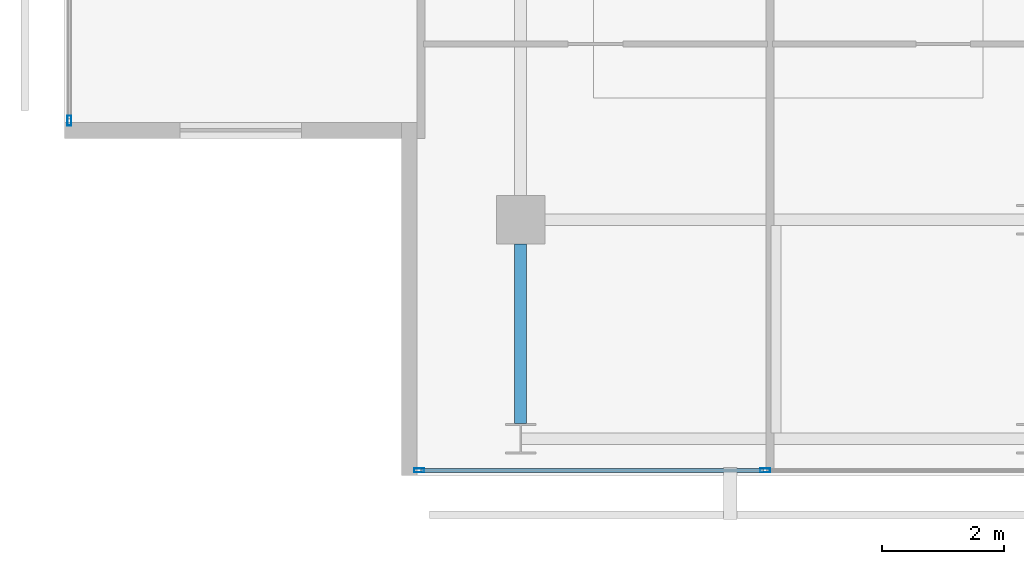
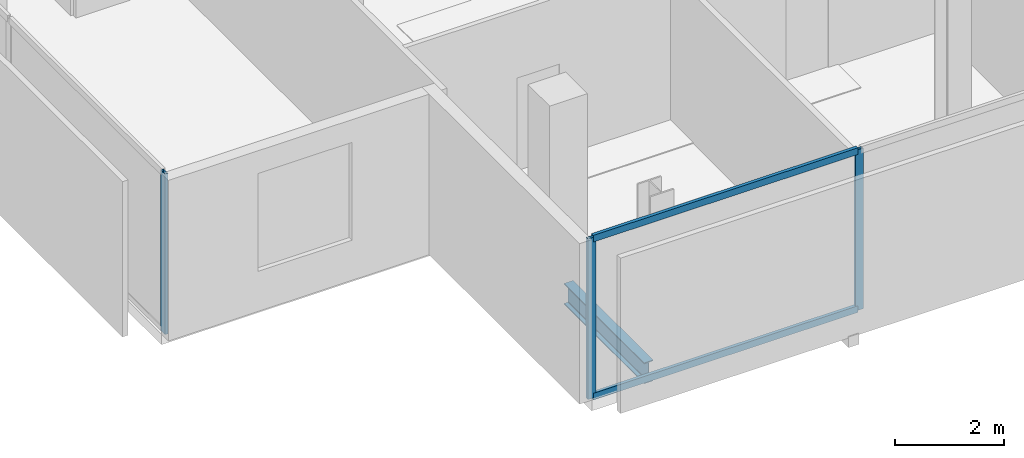
# One storey, part 2 of 24: 5 members, 1 beam, 2 elements without a shape of their own.
"""IFC4 building model written with IfcOpenShell, lengths in metres."""

from ifc_helpers import new_model, si_unit, direction, frame, origin, origin_2d, place, context, subcontext, project, spatial, hollow_rectangle, i_section, extrude, material, layer, layer_set, material_profile, profile_set, type_object, element, aggregate, save


model = new_model("IFC4")

# Units and contexts
model_context = context("Model", 3, precision=1e-05, world=origin(), true_north=direction((0.0, 1.0)))
body_context = subcontext(model_context, "Body", "Model", "MODEL_VIEW")
ifc_project = project(units=[si_unit("LENGTHUNIT", "METRE"), si_unit("AREAUNIT", "SQUARE_METRE"), si_unit("VOLUMEUNIT", "CUBIC_METRE"), si_unit("PLANEANGLEUNIT", "RADIAN"), si_unit("MASSUNIT", "GRAM", prefix="KILO")], contexts=[model_context])

# Site, building, storey
site_placement = place(None, origin())
site = spatial("IfcSite", under=ifc_project, at=site_placement, CompositionType="ELEMENT")
building_placement = place(site_placement, origin())
building = spatial("IfcBuilding", under=site, at=building_placement, Name="Maruvema Waterfront Hotel and Observation Tower", CompositionType="ELEMENT")
storey_placement = place(building_placement, frame((0.0, 0.0, 333.550048828125)))
storey = spatial("IfcBuildingStorey", under=building, at=storey_placement, Name="L82", CompositionType="ELEMENT", Elevation=333.550048828125)

# Curtain wall, members
ifc_material_1 = material(Name="Anodised bronze aluminium and solar-control low-E IGU", Category="aluminium")
ifc_layer = layer(ifc_material_1, 0.159912109375, Name="Zone 4 Sky Residence Inner Curtain Wall System CW-05")
ifc_layer_set = layer_set([ifc_layer], Name="Anodised bronze aluminium and solar-control low-E IGU")
curtain_wall_type = type_object("IfcCurtainWallType", Name="Zone 4 Sky Residence Inner Curtain Wall System CW-05", PredefinedType="USERDEFINED", material=ifc_layer_set)
curtain_wall_1_placement = place(storey_placement, origin())
curtain_wall_1 = element("IfcCurtainWall", 1, at=curtain_wall_1_placement, inside=storey, type_object=curtain_wall_type, Name="L82 Curtain Wall CW-L82-S", ObjectType="UNITISED CURTAIN WALL", PredefinedType="USERDEFINED")
ifc_material_2 = material(Name="Anodised architectural bronze aluminium", Category="aluminium")
ifc_material_profile_1 = material_profile(ifc_material_2, hollow_rectangle(XDim=0.070068359375, YDim=0.14990234375, WallThickness=0.00390625, at=origin_2d()), Name="ALU-T70x150")
ifc_profile_set_1 = profile_set([ifc_material_profile_1], Name="Anodised architectural bronze aluminium")
member_type_1 = type_object("IfcMemberType", Name="Curtain Wall Horizontal Transom ALU-T70x150", PredefinedType="USERDEFINED", material=ifc_profile_set_1)
member_1_placement = place(storey_placement, frame((23.56005859375, 13.8798828125, 0.030029296875), z_axis=(1.0, 0.0, 0.0), x_axis=(0.0, 1.0, 0.0)))
member_1 = element("IfcMember", 2, at=member_1_placement, type_object=member_type_1, Name="CW-05 transom 1.1", ObjectType="TRANSOM", PredefinedType="USERDEFINED", context=body_context, shape_type="SweptSolid", body=[
    extrude(hollow_rectangle(XDim=0.070068359375, YDim=0.14990234375, WallThickness=0.00390625, at=origin_2d()), origin(), (0.0, 0.0, 1.0), 5.6298828125),
])
member_2_placement = place(storey_placement, frame((23.56005859375, 13.8798828125, 3.579833984375), z_axis=(1.0, 0.0, 0.0), x_axis=(0.0, 1.0, 0.0)))
member_2 = element("IfcMember", 3, at=member_2_placement, type_object=member_type_1, Name="CW-05 transom 1.2", ObjectType="TRANSOM", PredefinedType="USERDEFINED", context=body_context, shape_type="SweptSolid", body=[
    extrude(hollow_rectangle(XDim=0.070068359375, YDim=0.14990234375, WallThickness=0.00390625, at=origin_2d()), origin(), (0.0, 0.0, 1.0), 5.6298828125),
])
ifc_material_3 = material(Name="Anodised architectural bronze aluminium", Category="aluminium")
ifc_material_profile_2 = material_profile(ifc_material_3, hollow_rectangle(XDim=0.06494140625, YDim=0.1650390625, WallThickness=0.00390625, at=origin_2d()), Name="ALU-M65x165")
ifc_profile_set_2 = profile_set([ifc_material_profile_2], Name="Anodised architectural bronze aluminium")
member_type_2 = type_object("IfcMemberType", Name="Curtain Wall Primary Mullion ALU-M65x165", PredefinedType="MULLION", material=ifc_profile_set_2)
member_3_placement = place(storey_placement, frame((23.530029296875, 13.8798828125, 0.0), z_axis=(0.0, 0.0, 1.0), x_axis=(0.0, 1.0, 0.0)))
member_3 = element("IfcMember", 4, at=member_3_placement, type_object=member_type_2, Name="CW-05 mullion 1", PredefinedType="MULLION", context=body_context, shape_type="SweptSolid", body=[
    extrude(hollow_rectangle(XDim=0.06494140625, YDim=0.1650390625, WallThickness=0.00390625, at=origin_2d()), origin(), (0.0, 0.0, 1.0), 3.60986328125),
])
member_4_placement = place(storey_placement, frame((29.219970703125, 13.8798828125, 0.0), z_axis=(0.0, 0.0, 1.0), x_axis=(0.0, 1.0, 0.0)))
member_4 = element("IfcMember", 5, at=member_4_placement, type_object=member_type_2, Name="CW-05 mullion 2", PredefinedType="MULLION", context=body_context, shape_type="SweptSolid", body=[
    extrude(hollow_rectangle(XDim=0.06494140625, YDim=0.1650390625, WallThickness=0.00390625, at=origin_2d()), origin(), (0.0, 0.0, 1.0), 3.60986328125),
])
aggregate(curtain_wall_1, [member_3, member_4, member_1, member_2])

# Curtain wall, member
curtain_wall_2_placement = place(storey_placement, origin())
curtain_wall_2 = element("IfcCurtainWall", 6, at=curtain_wall_2_placement, inside=storey, type_object=curtain_wall_type, Name="L82 Curtain Wall CW-L82-W", ObjectType="UNITISED CURTAIN WALL", PredefinedType="USERDEFINED")
member_5_placement = place(storey_placement, frame((17.780029296875, 19.6298828125, 0.0), z_axis=(0.0, 0.0, 1.0), x_axis=(1.0, 0.0, 0.0)))
member_5 = element("IfcMember", 7, at=member_5_placement, type_object=member_type_2, Name="CW-05 mullion 6", PredefinedType="MULLION", context=body_context, shape_type="SweptSolid", body=[
    extrude(hollow_rectangle(XDim=0.06494140625, YDim=0.1650390625, WallThickness=0.00390625, at=origin_2d()), origin(), (0.0, 0.0, 1.0), 3.60986328125),
])
aggregate(curtain_wall_2, [member_5])

# Beam
ifc_material_4 = material(Name="Steel ASTM A572 Grade 50", Category="steel")
ifc_material_profile_3 = material_profile(ifc_material_4, i_section(OverallWidth=0.194091796875, OverallDepth=0.468994140625, WebThickness=0.0126953125, FlangeThickness=0.0205078125, FilletRadius=0.014892578125, at=origin_2d()), Name="W460x106.0")
ifc_profile_set_3 = profile_set([ifc_material_profile_3], Name="Steel ASTM A572 Grade 50")
beam_type = type_object("IfcBeamType", Name="Primary Floor Girder W460x106.0", PredefinedType="BEAM", material=ifc_profile_set_3)
beam_placement = place(storey_placement, frame((25.199951171875, 14.64990234375, -0.474609375), z_axis=(0.0, 1.0, 0.0), x_axis=(-1.0, 0.0, 0.0)))
element("IfcBeam", 8, at=beam_placement, inside=storey, type_object=beam_type, Name="L82 Floor Girder NS-03", PredefinedType="BEAM", context=body_context, shape_type="SweptSolid", body=[
    extrude(i_section(OverallWidth=0.194091796875, OverallDepth=0.468994140625, WebThickness=0.0126953125, FlangeThickness=0.0205078125, FilletRadius=0.014892578125, at=origin_2d()), origin(), (0.0, 0.0, 1.0), 2.9501953125),
])

save(model, "model.ifc")
